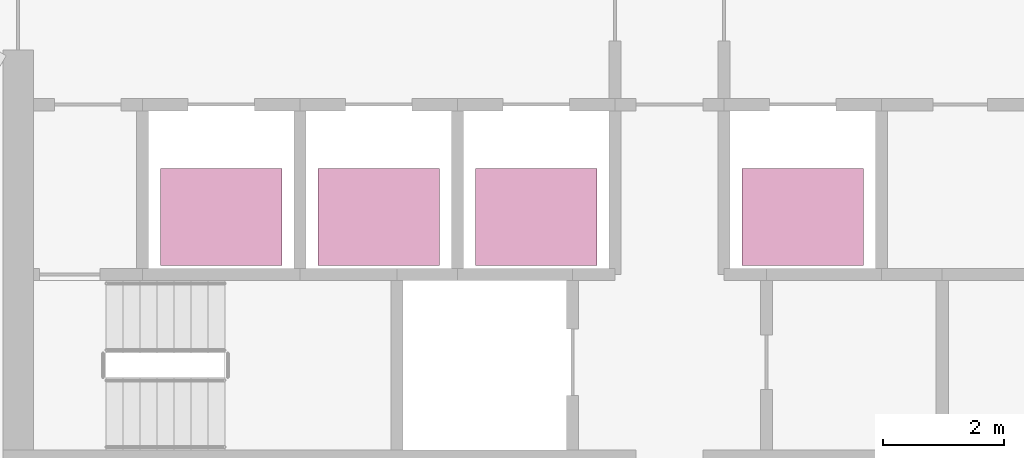
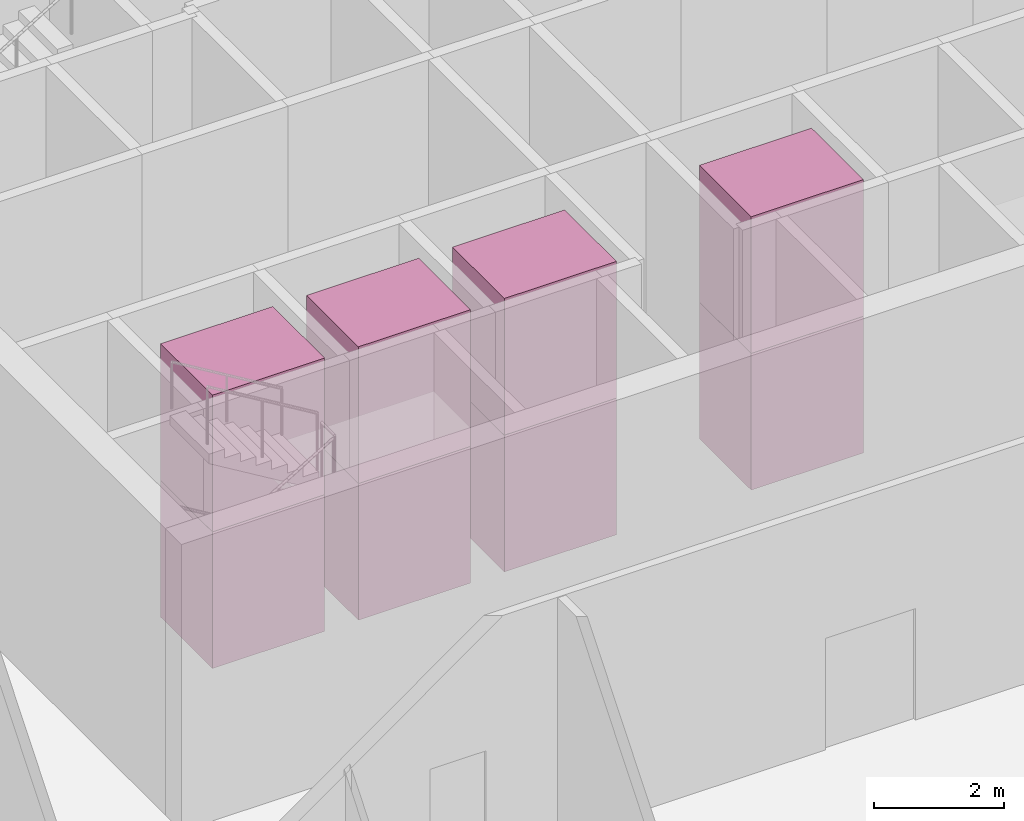
# One storey, part 14 of 14: 8 transport elements.
"""IFC4 building model written with IfcOpenShell, lengths in metres."""

from ifc_helpers import new_model, si_unit, direction, frame, origin, origin_2d, place, context, subcontext, project, spatial, rectangle, extrude, material, type_object, element, save


model = new_model("IFC4")

# Units and contexts
model_context = context("Model", 3, precision=1e-05, world=origin(), true_north=direction((0.0, 1.0)))
body_context = subcontext(model_context, "Body", "Model", "MODEL_VIEW")
ifc_project = project(units=[si_unit("LENGTHUNIT", "METRE"), si_unit("AREAUNIT", "SQUARE_METRE"), si_unit("VOLUMEUNIT", "CUBIC_METRE"), si_unit("PLANEANGLEUNIT", "RADIAN"), si_unit("MASSUNIT", "GRAM", prefix="KILO")], contexts=[model_context])

# Site, building, storey
site_placement = place(None, origin())
site = spatial("IfcSite", under=ifc_project, at=site_placement, CompositionType="ELEMENT")
building_placement = place(site_placement, origin())
building = spatial("IfcBuilding", under=site, at=building_placement, Name="Sierra Prisma Convention Tower", CompositionType="ELEMENT")
storey_placement = place(building_placement, frame((0.0, 0.0, 16.800048828125)))
storey = spatial("IfcBuildingStorey", under=building, at=storey_placement, Name="L02", CompositionType="ELEMENT", Elevation=16.800048828125)

# Transport elements
ifc_material = material(Name="Stainless steel", Category="steel")
transport_element_type = type_object("IfcTransportElementType", Name="Lift car podium 2000x1600 1600 kg", PredefinedType="ELEVATOR", material=ifc_material)
for number, where, z_axis, x_axis, name in (
    (1, (-7.39990234375, -3.64990234375, 0.0), (0.0, 0.0, 1.0), (1.0, 0.0, 0.0), "Lift PD1"),
    (2, (-7.39990234375, -3.64990234375, 2.5751953125), (0.0, 0.0, 1.0), (1.0, 0.0, 0.0), "Lift PD1"),
    (3, (-4.800048828125, -3.64990234375, 0.0), (0.0, 0.0, 1.0), (1.0, 0.0, 0.0), "Lift PD2"),
    (4, (-4.800048828125, -3.64990234375, 2.5751953125), (0.0, 0.0, 1.0), (1.0, 0.0, 0.0), "Lift PD2"),
    (5, (-2.199951171875, -3.64990234375, 0.0), (0.0, 0.0, 1.0), (1.0, 0.0, 0.0), "Lift PD3"),
    (6, (-2.199951171875, -3.64990234375, 2.5751953125), (0.0, 0.0, 1.0), (1.0, 0.0, 0.0), "Lift PD3"),
    (7, (2.199951171875, -3.64990234375, 0.0), (0.0, 0.0, 1.0), (1.0, 0.0, 0.0), "Lift PD4"),
    (8, (2.199951171875, -3.64990234375, 2.5751953125), (0.0, 0.0, 1.0), (1.0, 0.0, 0.0), "Lift PD4"),
):
    element("IfcTransportElement", number, at=place(storey_placement, frame(where, z_axis=z_axis, x_axis=x_axis)), inside=storey, type_object=transport_element_type, Name=name, PredefinedType="ELEVATOR", context=body_context, shape_type="SweptSolid", body=[
        extrude(rectangle(XDim=2.0, YDim=1.60009765625, at=origin_2d()), origin(), (0.0, 0.0, 1.0), 2.574951171875),
    ])

save(model, "model.ifc")
